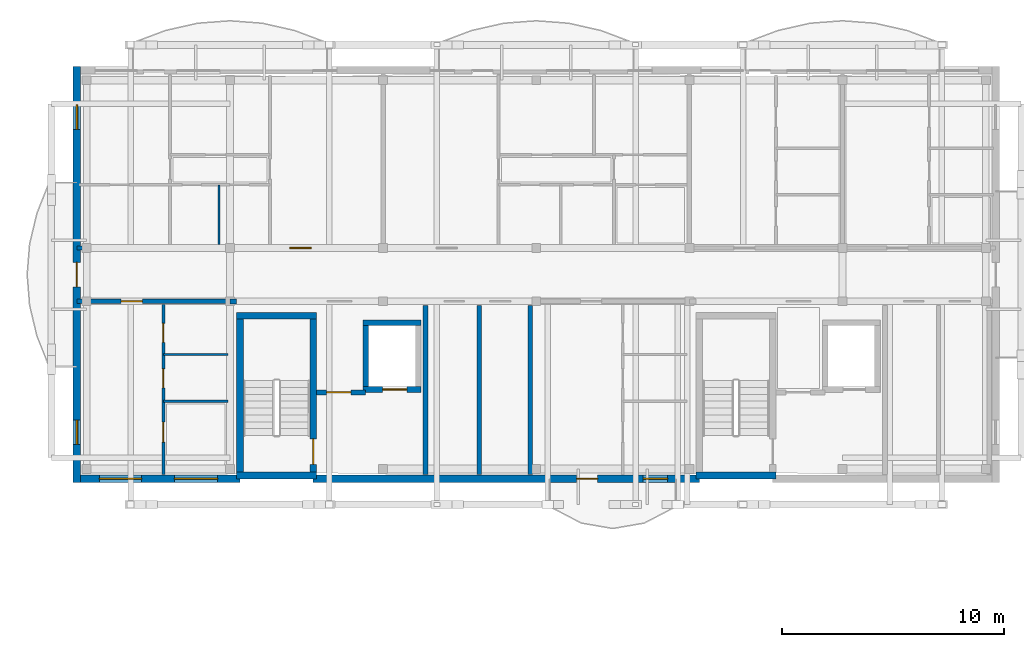
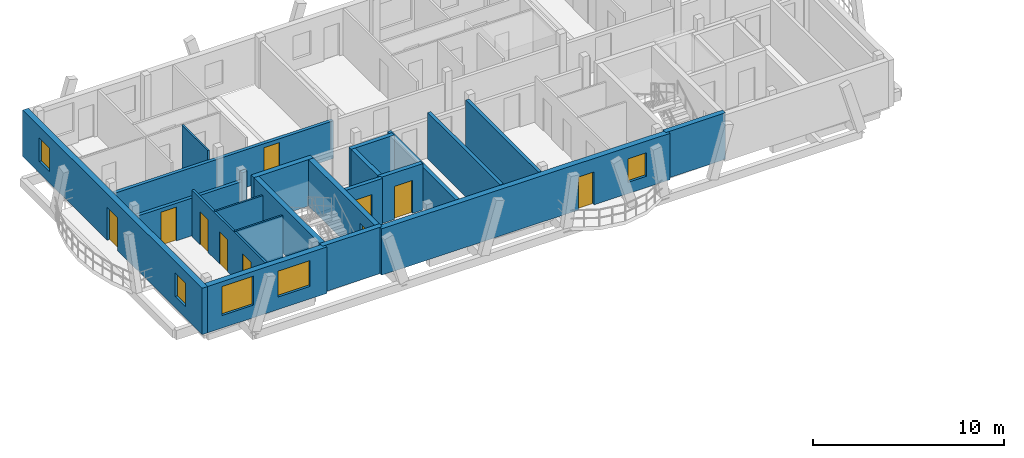
# One storey, part 14 of 29: 22 walls, 10 doors, 5 windows, 15 openings.
"""IFC4 building model written with IfcOpenShell, lengths in metres."""

from ifc_helpers import new_model, si_unit, direction, frame, frame_2d, origin, origin_with_axes, place, context, subcontext, project, spatial, rectangle, extrude, material, layer, layer_set, type_object, element, fill, save


model = new_model("IFC4")

# Units and contexts
model_context = context("Model", 3, precision=1e-05, world=origin(), true_north=direction((0.0, 1.0)))
body_context = subcontext(model_context, "Body", "Model", "MODEL_VIEW")
ifc_project = project(units=[si_unit("LENGTHUNIT", "METRE"), si_unit("AREAUNIT", "SQUARE_METRE"), si_unit("VOLUMEUNIT", "CUBIC_METRE"), si_unit("PLANEANGLEUNIT", "RADIAN"), si_unit("MASSUNIT", "GRAM", prefix="KILO")], contexts=[model_context])

# Site, building, storey
site_placement = place(None, origin())
site = spatial("IfcSite", under=ifc_project, at=site_placement, CompositionType="ELEMENT")
building_placement = place(site_placement, origin())
building = spatial("IfcBuilding", under=site, at=building_placement, Name="Zavelmont Quarter", CompositionType="ELEMENT")
storey_placement = place(building_placement, frame((0.0, 0.0, 33.60009765625)))
storey = spatial("IfcBuildingStorey", under=building, at=storey_placement, Name="L10", CompositionType="ELEMENT", Elevation=33.60009765625)

# Wall, openings, windows
ifc_material_1 = material(Name="Natural Belgian limestone", Category="masonry")
ifc_layer_1 = layer(ifc_material_1, 0.340087890625)
ifc_layer_set_1 = layer_set([ifc_layer_1], Name="Natural Belgian limestone")
wall_type_1 = type_object("IfcWallType", Name="EW03", PredefinedType="STANDARD", material=ifc_layer_set_1)
wall_1_placement = place(storey_placement, frame((0.159912109375, 97.60009765625, 0.0), z_axis=(0.0, 0.0, 1.0), x_axis=(1.0, 0.0, 0.0)))
wall_1 = element("IfcWall", 1, at=wall_1_placement, inside=storey, type_object=wall_type_1, Name="L10 exterior limestone wall EW03", PredefinedType="STANDARD", context=body_context, shape_type="SweptSolid", body=[
    extrude(rectangle(XDim=7.190185546875, YDim=0.340087890625, at=frame_2d((3.59521484375, 0.0))), origin(), (0.0, 0.0, 1.0), 2.9599609375),
])
opening_1_placement = place(wall_1_placement, frame((0.860107421875, 0.0, 0.800048828125)))
opening_1 = element("IfcOpeningElement", 2, at=opening_1_placement, cuts=wall_1, Name="Opening WN20", PredefinedType="OPENING", context=body_context, shape_type="SweptSolid", body=[
    extrude(rectangle(XDim=1.89990234375, YDim=1.85009765625, at=frame_2d((0.949951171875, 0.925048828125))), frame((0.0, 0.18212890625, 0.0), z_axis=(0.0, -1.0, 0.0), x_axis=(1.0, 0.0, 0.0)), (0.0, 0.0, 1.0), 0.364013671875),
])
opening_2_placement = place(wall_1_placement, frame((4.235107421875, 0.0, 0.800048828125)))
opening_2 = element("IfcOpeningElement", 3, at=opening_2_placement, cuts=wall_1, Name="Opening WN24", PredefinedType="OPENING", context=body_context, shape_type="SweptSolid", body=[
    extrude(rectangle(XDim=1.949951171875, YDim=1.64990234375, at=frame_2d((0.97509765625, 0.824951171875))), frame((0.0, 0.18212890625, 0.0), z_axis=(0.0, -1.0, 0.0), x_axis=(1.0, 0.0, 0.0)), (0.0, 0.0, 1.0), 0.364013671875),
])
ifc_material_2 = material(Name="Double low-E insulated glazing in thermally broken aluminium frame", Category="aluminium")
window_type_1 = type_object("IfcWindowType", Name="WN20", PartitioningType="SINGLE_PANEL", PredefinedType="WINDOW", material=ifc_material_2)
window_1_placement = place(opening_1_placement, origin_with_axes())
window_1 = element("IfcWindow", 4, at=window_1_placement, inside=storey, type_object=window_type_1, Name="L10 window WN20", OverallHeight=1.85009765625, OverallWidth=1.89990234375, PartitioningType="SINGLE_PANEL", PredefinedType="WINDOW", context=body_context, shape_type="SweptSolid", body=[
    extrude(rectangle(XDim=1.89990234375, YDim=1.85009765625, at=frame_2d((0.949951171875, 0.925048828125))), frame((0.0, 0.030029296875, 0.0), z_axis=(0.0, -1.0, 0.0), x_axis=(1.0, 0.0, 0.0)), (0.0, 0.0, 1.0), 0.06005859375),
])
fill(opening_1, window_1)
window_type_2 = type_object("IfcWindowType", Name="WN24", PartitioningType="SINGLE_PANEL", PredefinedType="WINDOW", material=ifc_material_2)
window_2_placement = place(opening_2_placement, origin_with_axes())
window_2 = element("IfcWindow", 5, at=window_2_placement, inside=storey, type_object=window_type_2, Name="L10 window WN24", OverallHeight=1.64990234375, OverallWidth=1.949951171875, PartitioningType="SINGLE_PANEL", PredefinedType="WINDOW", context=body_context, shape_type="SweptSolid", body=[
    extrude(rectangle(XDim=1.949951171875, YDim=1.64990234375, at=frame_2d((0.97509765625, 0.824951171875))), frame((0.0, 0.030029296875, 0.0), z_axis=(0.0, -1.0, 0.0), x_axis=(1.0, 0.0, 0.0)), (0.0, 0.0, 1.0), 0.06005859375),
])
fill(opening_2, window_2)

# Wall, openings, door, window
wall_2_placement = place(storey_placement, frame((10.64990234375, 97.60009765625, 0.0), z_axis=(0.0, 0.0, 1.0), x_axis=(1.0, 0.0, 0.0)))
wall_2 = element("IfcWall", 6, at=wall_2_placement, inside=storey, type_object=wall_type_1, Name="L10 exterior limestone wall EW03", PredefinedType="STANDARD", context=body_context, shape_type="SweptSolid", body=[
    extrude(rectangle(XDim=17.400146484375, YDim=0.340087890625, at=frame_2d((8.7001953125, 0.0))), origin(), (0.0, 0.0, 1.0), 2.9599609375),
])
opening_3_placement = place(wall_2_placement, frame((11.8701171875, 0.0, 0.0)))
opening_3 = element("IfcOpeningElement", 7, at=opening_3_placement, cuts=wall_2, Name="Opening DR04", PredefinedType="OPENING", context=body_context, shape_type="SweptSolid", body=[
    extrude(rectangle(XDim=0.949951171875, YDim=2.10009765625, at=frame_2d((0.47509765625, 1.050048828125))), frame((0.0, 0.18212890625, 0.0), z_axis=(0.0, -1.0, 0.0), x_axis=(1.0, 0.0, 0.0)), (0.0, 0.0, 1.0), 0.364013671875),
])
opening_4_placement = place(wall_2_placement, frame((14.8701171875, 0.0, 0.719970703125)))
opening_4 = element("IfcOpeningElement", 8, at=opening_4_placement, cuts=wall_2, Name="Opening WN09", PredefinedType="OPENING", context=body_context, shape_type="SweptSolid", body=[
    extrude(rectangle(XDim=1.10009765625, YDim=1.5, at=frame_2d((0.550048828125, 0.75))), frame((0.0, 0.18212890625, 0.0), z_axis=(0.0, -1.0, 0.0), x_axis=(1.0, 0.0, 0.0)), (0.0, 0.0, 1.0), 0.364013671875),
])
ifc_material_3 = material(Name="Thermally broken aluminium and double safety glass", Category="aluminium")
door_type_1 = type_object("IfcDoorType", Name="DR04", OperationType="NOTDEFINED", PredefinedType="DOOR", material=ifc_material_3)
door_1_placement = place(opening_3_placement, origin_with_axes())
door_1 = element("IfcDoor", 9, at=door_1_placement, inside=storey, type_object=door_type_1, Name="Block B L10 glazed balcony door", OperationType="SINGLE_SWING_RIGHT", OverallHeight=2.10009765625, OverallWidth=0.949951171875, PredefinedType="DOOR", context=body_context, shape_type="SweptSolid", body=[
    extrude(rectangle(XDim=0.949951171875, YDim=2.10009765625, at=frame_2d((0.47509765625, 1.050048828125))), frame((0.0, 0.02490234375, 0.0), z_axis=(0.0, -1.0, 0.0), x_axis=(1.0, 0.0, 0.0)), (0.0, 0.0, 1.0), 0.050048828125),
])
fill(opening_3, door_1)
window_type_3 = type_object("IfcWindowType", Name="WN09", PartitioningType="SINGLE_PANEL", PredefinedType="WINDOW", material=ifc_material_2)
window_3_placement = place(opening_4_placement, origin_with_axes())
window_3 = element("IfcWindow", 10, at=window_3_placement, inside=storey, type_object=window_type_3, Name="L10 window WN09", OverallHeight=1.5, OverallWidth=1.10009765625, PartitioningType="SINGLE_PANEL", PredefinedType="WINDOW", context=body_context, shape_type="SweptSolid", body=[
    extrude(rectangle(XDim=1.10009765625, YDim=1.5, at=frame_2d((0.550048828125, 0.75))), frame((0.0, 0.030029296875, 0.0), z_axis=(0.0, -1.0, 0.0), x_axis=(1.0, 0.0, 0.0)), (0.0, 0.0, 1.0), 0.06005859375),
])
fill(opening_4, window_3)

# Wall, openings, door, windows
wall_3_placement = place(storey_placement, frame((0.0, 97.429931640625, 0.0), z_axis=(0.0, 0.0, 1.0), x_axis=(0.0, 1.0, 0.0)))
wall_3 = element("IfcWall", 11, at=wall_3_placement, inside=storey, type_object=wall_type_1, Name="L10 exterior limestone wall EW03", PredefinedType="STANDARD", context=body_context, shape_type="SweptSolid", body=[
    extrude(rectangle(XDim=18.739990234375, YDim=0.340087890625, at=frame_2d((9.3701171875, 0.0))), origin(), (0.0, 0.0, 1.0), 2.9599609375),
])
opening_5_placement = place(wall_3_placement, frame((8.820068359375, 0.0, 0.0)))
opening_5 = element("IfcOpeningElement", 12, at=opening_5_placement, cuts=wall_3, Name="Opening DR04B", PredefinedType="OPENING", context=body_context, shape_type="SweptSolid", body=[
    extrude(rectangle(XDim=1.10009765625, YDim=2.10009765625, at=frame_2d((0.550048828125, 1.050048828125))), frame((0.0, 0.18212890625, 0.0), z_axis=(0.0, -1.0, 0.0), x_axis=(1.0, 0.0, 0.0)), (0.0, 0.0, 1.0), 0.364013671875),
])
opening_6_placement = place(wall_3_placement, frame((1.719970703125, 0.0, 0.719970703125)))
opening_6 = element("IfcOpeningElement", 13, at=opening_6_placement, cuts=wall_3, Name="Opening WN09", PredefinedType="OPENING", context=body_context, shape_type="SweptSolid", body=[
    extrude(rectangle(XDim=1.10009765625, YDim=1.5, at=frame_2d((0.550048828125, 0.75))), frame((0.0, 0.18212890625, 0.0), z_axis=(0.0, -1.0, 0.0), x_axis=(1.0, 0.0, 0.0)), (0.0, 0.0, 1.0), 0.364013671875),
])
opening_7_placement = place(wall_3_placement, frame((15.919921875, 0.0, 0.719970703125)))
opening_7 = element("IfcOpeningElement", 14, at=opening_7_placement, cuts=wall_3, Name="Opening WN09", PredefinedType="OPENING", context=body_context, shape_type="SweptSolid", body=[
    extrude(rectangle(XDim=1.10009765625, YDim=1.5, at=frame_2d((0.550048828125, 0.75))), frame((0.0, 0.18212890625, 0.0), z_axis=(0.0, -1.0, 0.0), x_axis=(1.0, 0.0, 0.0)), (0.0, 0.0, 1.0), 0.364013671875),
])
door_type_2 = type_object("IfcDoorType", Name="DR04B", OperationType="NOTDEFINED", PredefinedType="DOOR", material=ifc_material_3)
door_2_placement = place(opening_5_placement, frame((1.10009765625, 0.0, 0.0), z_axis=(0.0, 0.0, 1.0), x_axis=(-1.0, 0.0, 0.0)))
door_2 = element("IfcDoor", 15, at=door_2_placement, inside=storey, type_object=door_type_2, Name="Block B L10 terrace or vase balcony door", OperationType="SINGLE_SWING_LEFT", OverallHeight=2.10009765625, OverallWidth=1.10009765625, PredefinedType="DOOR", context=body_context, shape_type="SweptSolid", body=[
    extrude(rectangle(XDim=1.10009765625, YDim=2.10009765625, at=frame_2d((0.550048828125, 1.050048828125))), frame((0.0, 0.02490234375, 0.0), z_axis=(0.0, -1.0, 0.0), x_axis=(1.0, 0.0, 0.0)), (0.0, 0.0, 1.0), 0.050048828125),
])
fill(opening_5, door_2)
window_4_placement = place(opening_6_placement, origin_with_axes())
window_4 = element("IfcWindow", 16, at=window_4_placement, inside=storey, type_object=window_type_3, Name="L10 window WN09", OverallHeight=1.5, OverallWidth=1.10009765625, PartitioningType="SINGLE_PANEL", PredefinedType="WINDOW", context=body_context, shape_type="SweptSolid", body=[
    extrude(rectangle(XDim=1.10009765625, YDim=1.5, at=frame_2d((0.550048828125, 0.75))), frame((0.0, 0.030029296875, 0.0), z_axis=(0.0, -1.0, 0.0), x_axis=(1.0, 0.0, 0.0)), (0.0, 0.0, 1.0), 0.06005859375),
])
fill(opening_6, window_4)
window_5_placement = place(opening_7_placement, origin_with_axes())
window_5 = element("IfcWindow", 17, at=window_5_placement, inside=storey, type_object=window_type_3, Name="L10 window WN09", OverallHeight=1.5, OverallWidth=1.10009765625, PartitioningType="SINGLE_PANEL", PredefinedType="WINDOW", context=body_context, shape_type="SweptSolid", body=[
    extrude(rectangle(XDim=1.10009765625, YDim=1.5, at=frame_2d((0.550048828125, 0.75))), frame((0.0, 0.030029296875, 0.0), z_axis=(0.0, -1.0, 0.0), x_axis=(1.0, 0.0, 0.0)), (0.0, 0.0, 1.0), 0.06005859375),
])
fill(opening_7, window_5)

# Walls
ifc_material_4 = material(Name="Calcium-silicate blockwork and acoustic plaster", Category="masonry")
ifc_layer_2 = layer(ifc_material_4, 0.199951171875)
ifc_layer_set_2 = layer_set([ifc_layer_2], Name="Calcium-silicate blockwork and acoustic plaster")
wall_type_2 = type_object("IfcWallType", Name="IW01", PredefinedType="PARTITIONING", material=ifc_layer_set_2)
for number, where, z_axis, x_axis, name in (
    (18, (18.125, 97.800048828125, 0.0), (0.0, 0.0, 1.0), (0.0, 1.0, 0.0), "L10 Service riser divider wall IW01"),
    (19, (20.419921875, 97.800048828125, 0.0), (0.0, 0.0, 1.0), (0.0, 1.0, 0.0), "L10 Core service end wall IW01"),
):
    element("IfcWall", number, at=place(storey_placement, frame(where, z_axis=z_axis, x_axis=x_axis)), inside=storey, type_object=wall_type_2, Name=name, PredefinedType="PARTITIONING", context=body_context, shape_type="SweptSolid", body=[
        extrude(rectangle(XDim=7.599853515625, YDim=0.199951171875, at=frame_2d((3.7998046875, 0.0))), origin(), (0.0, 0.0, 1.0), 2.9599609375),
    ])

# Wall, opening, door
wall_4_placement = place(storey_placement, frame((0.0, 108.0, 0.0), z_axis=(0.0, 0.0, 1.0), x_axis=(1.0, 0.0, 0.0)))
wall_4 = element("IfcWall", 20, at=wall_4_placement, inside=storey, type_object=wall_type_2, Name="L10 Corridor compartment wall IW01", PredefinedType="PARTITIONING", context=body_context, shape_type="SweptSolid", body=[
    extrude(rectangle(XDim=13.800048828125, YDim=0.199951171875, at=frame_2d((6.89990234375, 0.0))), origin(), (0.0, 0.0, 1.0), 2.39990234375),
])
opening_8_placement = place(wall_4_placement, frame((9.60009765625, 0.0, 0.0)))
opening_8 = element("IfcOpeningElement", 21, at=opening_8_placement, cuts=wall_4, Name="Opening DR02", PredefinedType="OPENING", context=body_context, shape_type="SweptSolid", body=[
    extrude(rectangle(XDim=0.949951171875, YDim=2.14990234375, at=frame_2d((0.47509765625, 1.074951171875))), frame((0.0, 0.11181640625, 0.0), z_axis=(0.0, -1.0, 0.0), x_axis=(1.0, 0.0, 0.0)), (0.0, 0.0, 1.0), 0.223876953125),
])
ifc_material_5 = material(Name="Solid-core oak fire leaf in steel frame", Category="steel")
door_type_3 = type_object("IfcDoorType", Name="DR02", OperationType="NOTDEFINED", PredefinedType="DOOR", material=ifc_material_5)
door_3_placement = place(opening_8_placement, origin_with_axes())
door_3 = element("IfcDoor", 22, at=door_3_placement, inside=storey, type_object=door_type_3, Name="L10 door DR02", OperationType="SINGLE_SWING_LEFT", OverallHeight=2.14990234375, OverallWidth=0.949951171875, PredefinedType="DOOR", context=body_context, shape_type="SweptSolid", body=[
    extrude(rectangle(XDim=0.949951171875, YDim=2.14990234375, at=frame_2d((0.47509765625, 1.074951171875))), frame((0.0, 0.02490234375, 0.0), z_axis=(0.0, -1.0, 0.0), x_axis=(1.0, 0.0, 0.0)), (0.0, 0.0, 1.0), 0.050048828125),
])
fill(opening_8, door_3)

wall_5_placement = place(storey_placement, frame((0.0, 105.60009765625, 0.0), z_axis=(0.0, 0.0, 1.0), x_axis=(1.0, 0.0, 0.0)))
wall_5 = element("IfcWall", 23, at=wall_5_placement, inside=storey, type_object=wall_type_2, Name="L10 Corridor compartment wall IW01", PredefinedType="PARTITIONING", context=body_context, shape_type="SweptSolid", body=[
    extrude(rectangle(XDim=6.89990234375, YDim=0.199951171875, at=frame_2d((3.449951171875, 0.0))), origin(), (0.0, 0.0, 1.0), 2.39990234375),
])
opening_9_placement = place(wall_5_placement, frame((2.0, 0.0, 0.0)))
opening_9 = element("IfcOpeningElement", 24, at=opening_9_placement, cuts=wall_5, Name="Opening DR02", PredefinedType="OPENING", context=body_context, shape_type="SweptSolid", body=[
    extrude(rectangle(XDim=0.949951171875, YDim=2.14990234375, at=frame_2d((0.47509765625, 1.074951171875))), frame((0.0, 0.11181640625, 0.0), z_axis=(0.0, -1.0, 0.0), x_axis=(1.0, 0.0, 0.0)), (0.0, 0.0, 1.0), 0.223876953125),
])
door_4_placement = place(opening_9_placement, frame((0.949951171875, 0.0, 0.0), z_axis=(0.0, 0.0, 1.0), x_axis=(-1.0, 0.0, 0.0)))
door_4 = element("IfcDoor", 25, at=door_4_placement, inside=storey, type_object=door_type_3, Name="L10 door DR02", OperationType="SINGLE_SWING_RIGHT", OverallHeight=2.14990234375, OverallWidth=0.949951171875, PredefinedType="DOOR", context=body_context, shape_type="SweptSolid", body=[
    extrude(rectangle(XDim=0.949951171875, YDim=2.14990234375, at=frame_2d((0.47509765625, 1.074951171875))), frame((0.0, 0.02490234375, 0.0), z_axis=(0.0, -1.0, 0.0), x_axis=(1.0, 0.0, 0.0)), (0.0, 0.0, 1.0), 0.050048828125),
])
fill(opening_9, door_4)

# Wall
ifc_material_6 = material(Name="Reinforced masonry fire compartment wall", Category="masonry")
ifc_layer_3 = layer(ifc_material_6, 0.22509765625)
ifc_layer_set_3 = layer_set([ifc_layer_3], Name="Reinforced masonry fire compartment wall")
wall_type_3 = type_object("IfcWallType", Name="IW02", PredefinedType="PARTITIONING", material=ifc_layer_set_3)
wall_6_placement = place(storey_placement, frame((15.7099609375, 97.800048828125, 0.0), z_axis=(0.0, 0.0, 1.0), x_axis=(0.0, 1.0, 0.0)))
element("IfcWall", 26, at=wall_6_placement, inside=storey, type_object=wall_type_3, Name="L10 Firefighting lobby enclosure wall IW02", PredefinedType="PARTITIONING", context=body_context, shape_type="SweptSolid", body=[
    extrude(rectangle(XDim=7.599853515625, YDim=0.22509765625, at=frame_2d((3.7998046875, 0.0))), origin(), (0.0, 0.0, 1.0), 2.58984375),
])

# Wall, opening, door
wall_7_placement = place(storey_placement, frame((10.800048828125, 101.5, 0.0), z_axis=(0.0, 0.0, 1.0), x_axis=(1.0, 0.0, 0.0)))
wall_7 = element("IfcWall", 27, at=wall_7_placement, inside=storey, type_object=wall_type_3, Name="L10 Firefighting lobby threshold wall IW02", PredefinedType="PARTITIONING", context=body_context, shape_type="SweptSolid", body=[
    extrude(rectangle(XDim=2.199951171875, YDim=0.22509765625, at=frame_2d((1.10009765625, 0.0))), origin(), (0.0, 0.0, 1.0), 2.9599609375),
])
opening_10_placement = place(wall_7_placement, frame((0.449951171875, 0.0, 0.0)))
opening_10 = element("IfcOpeningElement", 28, at=opening_10_placement, cuts=wall_7, Name="Opening DR10", PredefinedType="OPENING", context=body_context, shape_type="SweptSolid", body=[
    extrude(rectangle(XDim=1.10009765625, YDim=2.14990234375, at=frame_2d((0.550048828125, 1.074951171875))), frame((0.0, 0.12451171875, 0.0), z_axis=(0.0, -1.0, 0.0), x_axis=(1.0, 0.0, 0.0)), (0.0, 0.0, 1.0), 0.2490234375),
])
ifc_material_7 = material(Name="Painted steel lobby fire door", Category="steel")
door_type_4 = type_object("IfcDoorType", Name="DR10", OperationType="NOTDEFINED", PredefinedType="DOOR", material=ifc_material_7)
door_5_placement = place(opening_10_placement, frame((1.10009765625, 0.0, 0.0), z_axis=(0.0, 0.0, 1.0), x_axis=(-1.0, 0.0, 0.0)))
door_5 = element("IfcDoor", 29, at=door_5_placement, inside=storey, type_object=door_type_4, Name="Firefighting lobby fire door", OperationType="SINGLE_SWING_RIGHT", OverallHeight=2.14990234375, OverallWidth=1.10009765625, PredefinedType="DOOR", context=body_context, shape_type="SweptSolid", body=[
    extrude(rectangle(XDim=1.10009765625, YDim=2.14990234375, at=frame_2d((0.550048828125, 1.074951171875))), frame((0.0, 0.02490234375, 0.0), z_axis=(0.0, -1.0, 0.0), x_axis=(1.0, 0.0, 0.0)), (0.0, 0.0, 1.0), 0.050048828125),
])
fill(opening_10, door_5)

# Wall
wall_8_placement = place(storey_placement, frame((6.89990234375, 105.60009765625, 0.0), z_axis=(0.0, 0.0, 1.0), x_axis=(1.0, 0.0, 0.0)))
element("IfcWall", 30, at=wall_8_placement, inside=storey, type_object=wall_type_3, Name="L10 Core corridor wall IW02", PredefinedType="PARTITIONING", context=body_context, shape_type="SweptSolid", body=[
    extrude(rectangle(XDim=0.300048828125, YDim=0.22509765625, at=frame_2d((0.14990234375, 0.0))), origin(), (0.0, 0.0, 1.0), 2.9599609375),
])

# Wall, openings, doors
ifc_material_8 = material(Name="Double gypsum board on acoustic steel stud", Category="steel")
ifc_layer_4 = layer(ifc_material_8, 0.125)
ifc_layer_set_4 = layer_set([ifc_layer_4], Name="Double gypsum board on acoustic steel stud")
wall_type_4 = type_object("IfcWallType", Name="IW03", PredefinedType="PARTITIONING", material=ifc_layer_set_4)
wall_9_placement = place(storey_placement, frame((3.89990234375, 105.449951171875, 0.0), z_axis=(0.0, 0.0, 1.0), x_axis=(0.0, -1.0, 0.0)))
wall_9 = element("IfcWall", 31, at=wall_9_placement, inside=storey, type_object=wall_type_4, Name="L10 Partition IW03", PredefinedType="PARTITIONING", context=body_context, shape_type="SweptSolid", body=[
    extrude(rectangle(XDim=7.64990234375, YDim=0.125, at=frame_2d((3.824951171875, 0.0))), origin(), (0.0, 0.0, 1.0), 2.9599609375),
])
opening_11_placement = place(wall_9_placement, frame((0.85009765625, 0.0, 0.0)))
opening_11 = element("IfcOpeningElement", 32, at=opening_11_placement, cuts=wall_9, Name="Opening DR16", PredefinedType="OPENING", context=body_context, shape_type="SweptSolid", body=[
    extrude(rectangle(XDim=0.85009765625, YDim=2.10009765625, at=frame_2d((0.425048828125, 1.050048828125))), frame((0.0, 0.074462890625, 0.0), z_axis=(0.0, -1.0, 0.0), x_axis=(1.0, 0.0, 0.0)), (0.0, 0.0, 1.0), 0.14892578125),
])
opening_12_placement = place(wall_9_placement, frame((2.89990234375, 0.0, 0.0)))
opening_12 = element("IfcOpeningElement", 33, at=opening_12_placement, cuts=wall_9, Name="Opening DR06", PredefinedType="OPENING", context=body_context, shape_type="SweptSolid", body=[
    extrude(rectangle(XDim=0.85009765625, YDim=2.050048828125, at=frame_2d((0.425048828125, 1.02490234375))), frame((0.0, 0.074462890625, 0.0), z_axis=(0.0, -1.0, 0.0), x_axis=(1.0, 0.0, 0.0)), (0.0, 0.0, 1.0), 0.14892578125),
])
opening_13_placement = place(wall_9_placement, frame((5.300048828125, 0.0, 0.0)))
opening_13 = element("IfcOpeningElement", 34, at=opening_13_placement, cuts=wall_9, Name="Opening DR05", PredefinedType="OPENING", context=body_context, shape_type="SweptSolid", body=[
    extrude(rectangle(XDim=0.89990234375, YDim=2.10009765625, at=frame_2d((0.449951171875, 1.050048828125))), frame((0.0, 0.074462890625, 0.0), z_axis=(0.0, -1.0, 0.0), x_axis=(1.0, 0.0, 0.0)), (0.0, 0.0, 1.0), 0.14892578125),
])
ifc_material_9 = material(Name="Engineered oak flush interior door")
door_type_5 = type_object("IfcDoorType", Name="DR05", OperationType="NOTDEFINED", PredefinedType="DOOR", material=ifc_material_9)
door_6_placement = place(opening_13_placement, frame((0.89990234375, 0.0, 0.0), z_axis=(0.0, 0.0, 1.0), x_axis=(-1.0, 0.0, 0.0)))
door_6 = element("IfcDoor", 35, at=door_6_placement, inside=storey, type_object=door_type_5, Name="L10 door DR05", OperationType="SINGLE_SWING_RIGHT", OverallHeight=2.10009765625, OverallWidth=0.89990234375, PredefinedType="DOOR", context=body_context, shape_type="SweptSolid", body=[
    extrude(rectangle(XDim=0.89990234375, YDim=2.10009765625, at=frame_2d((0.449951171875, 1.050048828125))), frame((0.0, 0.02490234375, 0.0), z_axis=(0.0, -1.0, 0.0), x_axis=(1.0, 0.0, 0.0)), (0.0, 0.0, 1.0), 0.050048828125),
])
fill(opening_13, door_6)
ifc_material_10 = material(Name="Moisture-resistant painted wet-room door")
door_type_6 = type_object("IfcDoorType", Name="DR06", OperationType="NOTDEFINED", PredefinedType="DOOR", material=ifc_material_10)
door_7_placement = place(opening_12_placement, origin_with_axes())
door_7 = element("IfcDoor", 36, at=door_7_placement, inside=storey, type_object=door_type_6, Name="L10 door DR06", OperationType="SINGLE_SWING_LEFT", OverallHeight=2.050048828125, OverallWidth=0.85009765625, PredefinedType="DOOR", context=body_context, shape_type="SweptSolid", body=[
    extrude(rectangle(XDim=0.85009765625, YDim=2.050048828125, at=frame_2d((0.425048828125, 1.02490234375))), frame((0.0, 0.02490234375, 0.0), z_axis=(0.0, -1.0, 0.0), x_axis=(1.0, 0.0, 0.0)), (0.0, 0.0, 1.0), 0.050048828125),
])
fill(opening_12, door_7)
door_type_7 = type_object("IfcDoorType", Name="DR16", OperationType="NOTDEFINED", PredefinedType="DOOR", material=ifc_material_9)
door_8_placement = place(opening_11_placement, frame((0.85009765625, 0.0, 0.0), z_axis=(0.0, 0.0, 1.0), x_axis=(-1.0, 0.0, 0.0)))
door_8 = element("IfcDoor", 37, at=door_8_placement, inside=storey, type_object=door_type_7, Name="L10 door DR16", OperationType="SINGLE_SWING_RIGHT", OverallHeight=2.10009765625, OverallWidth=0.85009765625, PredefinedType="DOOR", context=body_context, shape_type="SweptSolid", body=[
    extrude(rectangle(XDim=0.85009765625, YDim=2.10009765625, at=frame_2d((0.425048828125, 1.050048828125))), frame((0.0, 0.02490234375, 0.0), z_axis=(0.0, -1.0, 0.0), x_axis=(1.0, 0.0, 0.0)), (0.0, 0.0, 1.0), 0.050048828125),
])
fill(opening_11, door_8)

# Walls
ifc_material_11 = material(Name="Moisture-resistant gypsum board on steel stud", Category="steel")
ifc_layer_5 = layer(ifc_material_11, 0.10009765625)
ifc_layer_set_5 = layer_set([ifc_layer_5], Name="Moisture-resistant gypsum board on steel stud")
wall_type_5 = type_object("IfcWallType", Name="IW04", PredefinedType="PARTITIONING", material=ifc_layer_set_5)
wall_10_placement = place(storey_placement, frame((6.39990234375, 108.14990234375, 0.0), z_axis=(0.0, 0.0, 1.0), x_axis=(0.0, 1.0, 0.0)))
element("IfcWall", 38, at=wall_10_placement, inside=storey, type_object=wall_type_5, Name="L10 Partition IW04", PredefinedType="PARTITIONING", context=body_context, shape_type="SweptSolid", body=[
    extrude(rectangle(XDim=2.7001953125, YDim=0.10009765625, at=frame_2d((1.35009765625, 0.0))), origin(), (0.0, 0.0, 1.0), 2.9599609375),
])
for number, where, z_axis, x_axis, name in (
    (39, (3.89990234375, 103.199951171875, 0.0), (0.0, 0.0, 1.0), (1.0, 0.0, 0.0), "L10 Partition IW04"),
    (40, (3.89990234375, 101.10009765625, 0.0), (0.0, 0.0, 1.0), (1.0, 0.0, 0.0), "L10 Partition IW04"),
):
    element("IfcWall", number, at=place(storey_placement, frame(where, z_axis=z_axis, x_axis=x_axis)), inside=storey, type_object=wall_type_5, Name=name, PredefinedType="PARTITIONING", context=body_context, shape_type="SweptSolid", body=[
        extrude(rectangle(XDim=2.900146484375, YDim=0.10009765625, at=frame_2d((1.4501953125, 0.0))), origin(), (0.0, 0.0, 1.0), 2.9599609375),
    ])
ifc_material_12 = material(Name="Concrete C40/50", Category="concrete")
ifc_layer_6 = layer(ifc_material_12, 0.300048828125)
ifc_layer_set_6 = layer_set([ifc_layer_6], Name="Concrete C40/50")
wall_type_6 = type_object("IfcWallType", Name="SW01", PredefinedType="SHEAR", material=ifc_layer_set_6)
wall_11_placement = place(storey_placement, frame((7.199951171875, 104.949951171875, 0.0), z_axis=(0.0, 0.0, 1.0), x_axis=(1.0, 0.0, 0.0)))
element("IfcWall", 41, at=wall_11_placement, inside=storey, type_object=wall_type_6, Name="L10 ST03 corridor shear wall SW01", PredefinedType="SHEAR", context=body_context, shape_type="SweptSolid", body=[
    extrude(rectangle(XDim=3.60009765625, YDim=0.300048828125, at=frame_2d((1.800048828125, 0.0))), origin(), (0.0, 0.0, 1.0), 2.9599609375),
])
wall_12_placement = place(storey_placement, frame((7.35009765625, 97.60009765625, 0.0), z_axis=(0.0, 0.0, 1.0), x_axis=(0.0, 1.0, 0.0)))
element("IfcWall", 42, at=wall_12_placement, inside=storey, type_object=wall_type_6, Name="L10 ST03 west shear wall SW01", PredefinedType="SHEAR", context=body_context, shape_type="SweptSolid", body=[
    extrude(rectangle(XDim=7.5, YDim=0.300048828125, at=frame_2d((3.75, 0.0))), origin(), (0.0, 0.0, 1.0), 2.9599609375),
])

# Wall, opening, door
wall_13_placement = place(storey_placement, frame((10.64990234375, 97.60009765625, 0.0), z_axis=(0.0, 0.0, 1.0), x_axis=(0.0, 1.0, 0.0)))
wall_13 = element("IfcWall", 43, at=wall_13_placement, inside=storey, type_object=wall_type_6, Name="L10 ST03 lobby shear wall SW01", PredefinedType="SHEAR", context=body_context, shape_type="SweptSolid", body=[
    extrude(rectangle(XDim=7.5, YDim=0.300048828125, at=frame_2d((3.75, 0.0))), origin(), (0.0, 0.0, 1.0), 2.9599609375),
])
opening_14_placement = place(wall_13_placement, frame((0.64990234375, 0.0, 0.0)))
opening_14 = element("IfcOpeningElement", 44, at=opening_14_placement, cuts=wall_13, Name="Opening DR09", PredefinedType="OPENING", context=body_context, shape_type="SweptSolid", body=[
    extrude(rectangle(XDim=1.14990234375, YDim=2.14990234375, at=frame_2d((0.574951171875, 1.074951171875))), frame((0.0, 0.162109375, 0.0), z_axis=(0.0, -1.0, 0.0), x_axis=(1.0, 0.0, 0.0)), (0.0, 0.0, 1.0), 0.323974609375),
])
ifc_material_13 = material(Name="Painted steel stair-core fire door", Category="steel")
door_type_8 = type_object("IfcDoorType", Name="DR09", OperationType="NOTDEFINED", PredefinedType="DOOR", material=ifc_material_13)
door_9_placement = place(opening_14_placement, origin_with_axes())
door_9 = element("IfcDoor", 45, at=door_9_placement, inside=storey, type_object=door_type_8, Name="ST03 protected stair door", OperationType="SINGLE_SWING_RIGHT", OverallHeight=2.14990234375, OverallWidth=1.14990234375, PredefinedType="DOOR", context=body_context, shape_type="SweptSolid", body=[
    extrude(rectangle(XDim=1.14990234375, YDim=2.14990234375, at=frame_2d((0.574951171875, 1.074951171875))), frame((0.0, 0.02490234375, 0.0), z_axis=(0.0, -1.0, 0.0), x_axis=(1.0, 0.0, 0.0)), (0.0, 0.0, 1.0), 0.050048828125),
])
fill(opening_14, door_9)

ifc_layer_7 = layer(ifc_material_12, 0.25)
ifc_layer_set_7 = layer_set([ifc_layer_7], Name="Concrete C40/50")
wall_type_7 = type_object("IfcWallType", Name="SW02", PredefinedType="SHEAR", material=ifc_layer_set_7)
wall_14_placement = place(storey_placement, frame((12.89990234375, 101.625, 0.0), z_axis=(0.0, 0.0, 1.0), x_axis=(1.0, 0.0, 0.0)))
wall_14 = element("IfcWall", 46, at=wall_14_placement, inside=storey, type_object=wall_type_7, Name="L10 Lift FL02 landing shaft wall SW02", PredefinedType="SHEAR", context=body_context, shape_type="SweptSolid", body=[
    extrude(rectangle(XDim=2.60009765625, YDim=0.25, at=frame_2d((1.300048828125, 0.0))), origin(), (0.0, 0.0, 1.0), 2.9599609375),
])
opening_15_placement = place(wall_14_placement, frame((0.875, 0.0, 0.0)))
opening_15 = element("IfcOpeningElement", 47, at=opening_15_placement, cuts=wall_14, Name="Opening LD02", PredefinedType="OPENING", context=body_context, shape_type="SweptSolid", body=[
    extrude(rectangle(XDim=1.10009765625, YDim=2.10009765625, at=frame_2d((0.550048828125, 1.050048828125))), frame((0.0, 0.136962890625, 0.0), z_axis=(0.0, -1.0, 0.0), x_axis=(1.0, 0.0, 0.0)), (0.0, 0.0, 1.0), 0.27392578125),
])
ifc_material_14 = material(Name="Brushed stainless-steel firefighting lift landing door", Category="steel")
door_type_9 = type_object("IfcDoorType", Name="LD02", OperationType="SLIDING_TO_LEFT", PredefinedType="DOOR", material=ifc_material_14)
door_10_placement = place(opening_15_placement, origin_with_axes())
door_10 = element("IfcDoor", 48, at=door_10_placement, inside=storey, type_object=door_type_9, Name="Lift FL02 sliding landing door", OperationType="SLIDING_TO_LEFT", OverallHeight=2.10009765625, OverallWidth=1.10009765625, PredefinedType="DOOR", context=body_context, shape_type="SweptSolid", body=[
    extrude(rectangle(XDim=1.10009765625, YDim=2.10009765625, at=frame_2d((0.550048828125, 1.050048828125))), frame((0.0, 0.02490234375, 0.0), z_axis=(0.0, -1.0, 0.0), x_axis=(1.0, 0.0, 0.0)), (0.0, 0.0, 1.0), 0.050048828125),
])
fill(opening_15, door_10)

# Walls
wall_15_placement = place(storey_placement, frame((12.89990234375, 104.625, 0.0), z_axis=(0.0, 0.0, 1.0), x_axis=(1.0, 0.0, 0.0)))
element("IfcWall", 49, at=wall_15_placement, inside=storey, type_object=wall_type_7, Name="L10 Lift FL02 back shaft wall SW02", PredefinedType="SHEAR", context=body_context, shape_type="SweptSolid", body=[
    extrude(rectangle(XDim=2.60009765625, YDim=0.25, at=frame_2d((1.300048828125, 0.0))), origin(), (0.0, 0.0, 1.0), 2.9599609375),
])
wall_16_placement = place(storey_placement, frame((13.02490234375, 101.5, 0.0), z_axis=(0.0, 0.0, 1.0), x_axis=(0.0, 1.0, 0.0)))
element("IfcWall", 50, at=wall_16_placement, inside=storey, type_object=wall_type_7, Name="L10 Lift FL02 west shaft wall SW02", PredefinedType="SHEAR", context=body_context, shape_type="SweptSolid", body=[
    extrude(rectangle(XDim=3.25, YDim=0.25, at=frame_2d((1.625, 0.0))), origin(), (0.0, 0.0, 1.0), 2.9599609375),
])
ifc_layer_8 = layer(ifc_material_12, 0.300048828125)
ifc_layer_set_8 = layer_set([ifc_layer_8], Name="Concrete C40/50")
wall_type_8 = type_object("IfcWallType", Name="SW03", PredefinedType="SHEAR", material=ifc_layer_set_8)
for number, where, z_axis, x_axis, name in (
    (51, (7.199951171875, 97.75, 0.0), (0.0, 0.0, 1.0), (1.0, 0.0, 0.0), "L10 ST03 outer shear wall SW03"),
    (52, (27.89990234375, 97.75, 0.0), (0.0, 0.0, 1.0), (1.0, 0.0, 0.0), "L10 ST04 outer shear wall SW03"),
):
    element("IfcWall", number, at=place(storey_placement, frame(where, z_axis=z_axis, x_axis=x_axis)), inside=storey, type_object=wall_type_8, Name=name, PredefinedType="SHEAR", context=body_context, shape_type="SweptSolid", body=[
        extrude(rectangle(XDim=3.60009765625, YDim=0.300048828125, at=frame_2d((1.800048828125, 0.0))), origin(), (0.0, 0.0, 1.0), 2.9599609375),
    ])

save(model, "model.ifc")
